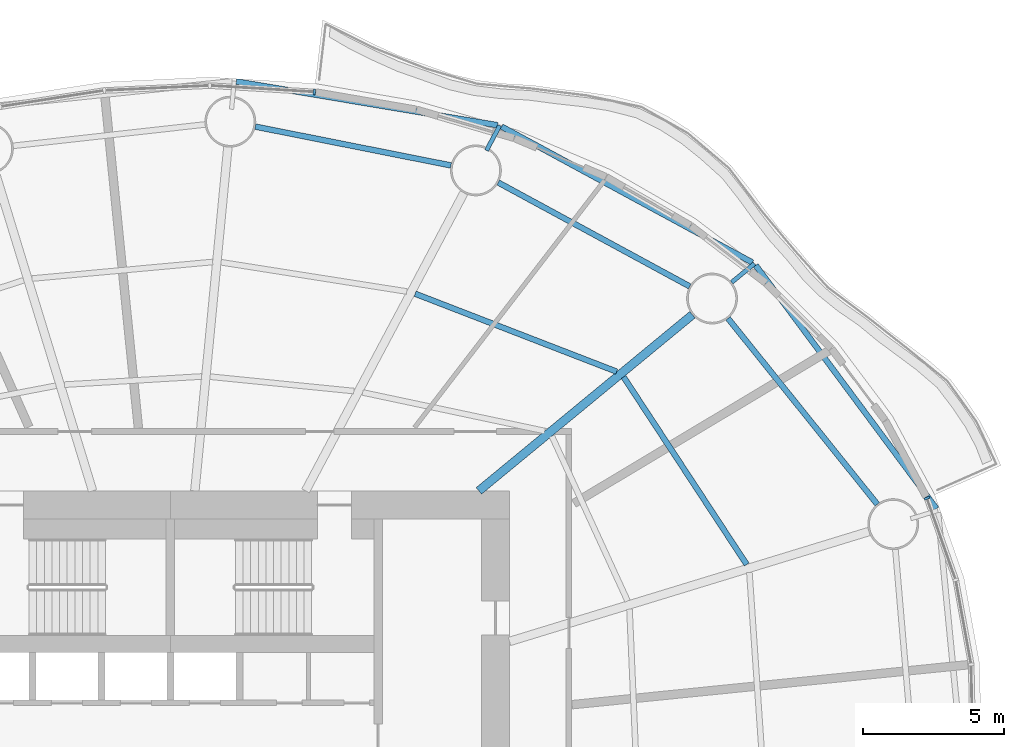
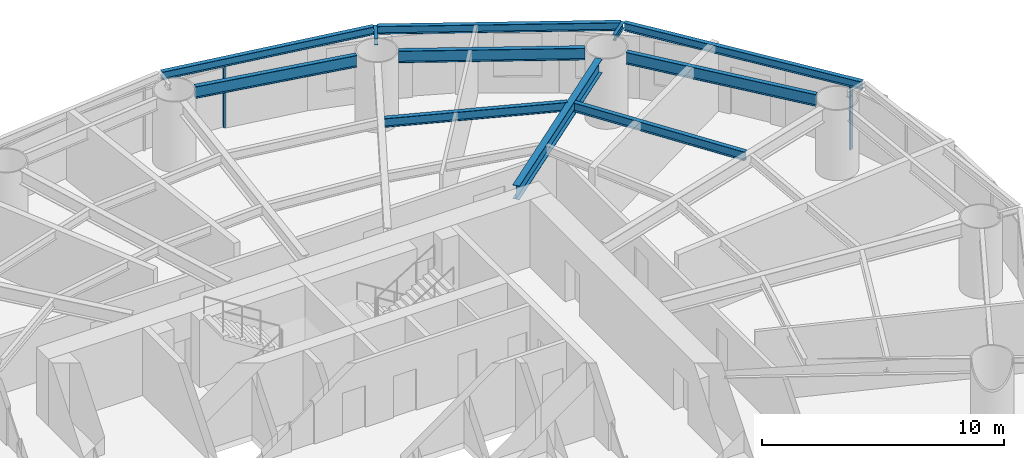
# One storey, part 6 of 16: 11 beams, 2 members, 2 elements without a shape of their own.
"""IFC4 building model written with IfcOpenShell, lengths in metres."""

from ifc_helpers import new_model, si_unit, direction, frame, origin, origin_2d, place, context, subcontext, project, spatial, rectangle, i_section, extrude, material, material_profile, profile_set, type_object, element, aggregate, save


model = new_model("IFC4")

# Units and contexts
model_context = context("Model", 3, precision=1e-05, world=origin(), true_north=direction((0.0, 1.0)))
body_context = subcontext(model_context, "Body", "Model", "MODEL_VIEW")
ifc_project = project(units=[si_unit("LENGTHUNIT", "METRE"), si_unit("AREAUNIT", "SQUARE_METRE"), si_unit("VOLUMEUNIT", "CUBIC_METRE"), si_unit("PLANEANGLEUNIT", "RADIAN"), si_unit("MASSUNIT", "GRAM", prefix="KILO")], contexts=[model_context])

# Site, building, storey
site_placement = place(None, origin())
site = spatial("IfcSite", under=ifc_project, at=site_placement, CompositionType="ELEMENT")
building_placement = place(site_placement, origin())
building = spatial("IfcBuilding", under=site, at=building_placement, Name="Vermilion Reach Broadcast Tower", CompositionType="ELEMENT")
storey_placement = place(building_placement, frame((0.0, 0.0, 58.199951171875)))
storey = spatial("IfcBuildingStorey", under=building, at=storey_placement, Name="L11", CompositionType="ELEMENT", Elevation=58.199951171875)

# Beams
ifc_material_1 = material(Name="Steel S355J2", Category="steel")
ifc_material_profile_1 = material_profile(ifc_material_1, i_section(OverallWidth=0.199951171875, OverallDepth=0.39990234375, WebThickness=0.008056640625, FlangeThickness=0.012939453125, at=origin_2d()), Name="S355J2 HN 400x200x8x13")
ifc_profile_set_1 = profile_set([ifc_material_profile_1], Name="Steel S355J2")
beam_type_1 = type_object("IfcBeamType", Name="EB1 HN 400x200x8x13", PredefinedType="BEAM", material=ifc_profile_set_1)
beam_1_placement = place(storey_placement, frame((21.105712890625, 8.37060546875, 3.35009765625), z_axis=(-0.596370099532, 0.802709601527, 0.0), x_axis=(-0.802709601527, -0.596370099532, 0.0)))
element("IfcBeam", 1, at=beam_1_placement, inside=storey, type_object=beam_type_1, Name="Edge beam EB1-01", PredefinedType="BEAM", context=body_context, shape_type="SweptSolid", body=[
    extrude(i_section(OverallWidth=0.199951171875, OverallDepth=0.39990234375, WebThickness=0.008056640625, FlangeThickness=0.012939453125, at=origin_2d()), origin(), (0.0, 0.0, 1.0), 10.7255859375),
])
beam_2_placement = place(storey_placement, frame((14.59326171875, 17.0791015625, 3.35009765625), z_axis=(-0.87918179165, 0.476486492182, 0.0), x_axis=(-0.476486492182, -0.87918179165, 0.0)))
element("IfcBeam", 2, at=beam_2_placement, inside=storey, type_object=beam_type_1, Name="Edge beam EB1-02", PredefinedType="BEAM", context=body_context, shape_type="SweptSolid", body=[
    extrude(i_section(OverallWidth=0.199951171875, OverallDepth=0.39990234375, WebThickness=0.008056640625, FlangeThickness=0.012939453125, at=origin_2d()), origin(), (0.0, 0.0, 1.0), 10.09423828125),
])
beam_3_placement = place(storey_placement, frame((5.57470703125, 21.937744140625, 3.35009765625), z_axis=(-0.986264056428, 0.165176302772, 0.0), x_axis=(-0.165176302772, -0.986264056428, 0.0)))
element("IfcBeam", 3, at=beam_3_placement, inside=storey, type_object=beam_type_1, Name="Edge beam EB1-03", PredefinedType="BEAM", context=body_context, shape_type="SweptSolid", body=[
    extrude(i_section(OverallWidth=0.199951171875, OverallDepth=0.39990234375, WebThickness=0.008056640625, FlangeThickness=0.012939453125, at=origin_2d()), origin(), (0.0, 0.0, 1.0), 9.370849609375),
])
ifc_material_2 = material(Name="Steel S355J2", Category="steel")
ifc_material_profile_2 = material_profile(ifc_material_2, i_section(OverallWidth=0.300048828125, OverallDepth=0.699951171875, WebThickness=0.012939453125, FlangeThickness=0.02392578125, at=origin_2d()), Name="S355J2 HN 700x300x13x24")
ifc_profile_set_2 = profile_set([ifc_material_profile_2], Name="Steel S355J2")
beam_type_2 = type_object("IfcBeamType", Name="G1 HN 700x300x13x24", PredefinedType="BEAM", material=ifc_profile_set_2)
beam_4_placement = place(storey_placement, frame((4.9140625, 9.0, 3.199951171875), z_axis=(0.771514256373, 0.636212034005, 0.0), x_axis=(-0.636212034005, 0.771514256373, 0.0)))
element("IfcBeam", 4, at=beam_4_placement, inside=storey, type_object=beam_type_2, Name="Girder G1-02", PredefinedType="BEAM", context=body_context, shape_type="SweptSolid", body=[
    extrude(i_section(OverallWidth=0.300048828125, OverallDepth=0.699951171875, WebThickness=0.012939453125, FlangeThickness=0.02392578125, at=origin_2d()), origin(), (0.0, 0.0, 1.0), 9.796142578125),
])
ifc_material_3 = material(Name="Steel S355J2", Category="steel")
ifc_material_profile_3 = material_profile(ifc_material_3, i_section(OverallWidth=0.14990234375, OverallDepth=0.300048828125, WebThickness=0.006591796875, FlangeThickness=0.009033203125, at=origin_2d()), Name="S355J2 HN 300x150x6.5x9")
ifc_profile_set_3 = profile_set([ifc_material_profile_3], Name="Steel S355J2")
beam_type_3 = type_object("IfcBeamType", Name="GS1 HN 300x150x6.5x9", PredefinedType="BEAM", material=ifc_profile_set_3)
beam_5_placement = place(storey_placement, frame((13.860595703125, 16.377685546875, 3.400146484375), z_axis=(0.771571647944, 0.636142430662, 0.0), x_axis=(-0.636142430662, 0.771571647944, 0.0)))
element("IfcBeam", 5, at=beam_5_placement, inside=storey, type_object=beam_type_3, Name="Cantilever stub GS1-02", PredefinedType="BEAM", context=body_context, shape_type="SweptSolid", body=[
    extrude(i_section(OverallWidth=0.14990234375, OverallDepth=0.300048828125, WebThickness=0.006591796875, FlangeThickness=0.009033203125, at=origin_2d()), origin(), (0.0, 0.0, 1.0), 1.0419921875),
])
beam_6_placement = place(storey_placement, frame((5.183349609375, 21.041748046875, 3.400146484375), z_axis=(0.469244476458, 0.883068299348, 0.0), x_axis=(-0.883068299348, 0.469244476458, 0.0)))
element("IfcBeam", 6, at=beam_6_placement, inside=storey, type_object=beam_type_3, Name="Cantilever stub GS1-03", PredefinedType="BEAM", context=body_context, shape_type="SweptSolid", body=[
    extrude(i_section(OverallWidth=0.14990234375, OverallDepth=0.300048828125, WebThickness=0.006591796875, FlangeThickness=0.009033203125, at=origin_2d()), origin(), (0.0, 0.0, 1.0), 1.0),
])
ifc_material_4 = material(Name="Steel S355J2", Category="steel")
ifc_material_profile_4 = material_profile(ifc_material_4, i_section(OverallWidth=0.199951171875, OverallDepth=0.60009765625, WebThickness=0.010986328125, FlangeThickness=0.01708984375, at=origin_2d()), Name="S355J2 HN 600x200x11x17")
ifc_profile_set_4 = profile_set([ifc_material_profile_4], Name="Steel S355J2")
beam_type_4 = type_object("IfcBeamType", Name="RB1 HN 600x200x11x17", PredefinedType="BEAM", material=ifc_profile_set_4)
beam_7_placement = place(storey_placement, frame((19.011962890625, 8.52587890625, 3.25), z_axis=(-0.626162157191, 0.779692858055, 0.0), x_axis=(-0.779692858055, -0.626162157191, 0.0)))
element("IfcBeam", 7, at=beam_7_placement, inside=storey, type_object=beam_type_4, Name="Ring beam RB1-01", PredefinedType="BEAM", context=body_context, shape_type="SweptSolid", body=[
    extrude(i_section(OverallWidth=0.199951171875, OverallDepth=0.60009765625, WebThickness=0.010986328125, FlangeThickness=0.01708984375, at=origin_2d()), origin(), (0.0, 0.0, 1.0), 8.435791015625),
])
beam_8_placement = place(storey_placement, frame((12.375244140625, 16.234130859375, 3.25), z_axis=(-0.878962319551, 0.476891225344, 0.0), x_axis=(-0.476891225344, -0.878962319551, 0.0)))
element("IfcBeam", 8, at=beam_8_placement, inside=storey, type_object=beam_type_4, Name="Ring beam RB1-02", PredefinedType="BEAM", context=body_context, shape_type="SweptSolid", body=[
    extrude(i_section(OverallWidth=0.199951171875, OverallDepth=0.60009765625, WebThickness=0.010986328125, FlangeThickness=0.01708984375, at=origin_2d()), origin(), (0.0, 0.0, 1.0), 7.707275390625),
])
beam_9_placement = place(storey_placement, frame((3.927001953125, 20.51416015625, 3.25), z_axis=(-0.980857717995, 0.194725799651, 0.0), x_axis=(-0.194725799651, -0.980857717995, 0.0)))
element("IfcBeam", 9, at=beam_9_placement, inside=storey, type_object=beam_type_4, Name="Ring beam RB1-03", PredefinedType="BEAM", context=body_context, shape_type="SweptSolid", body=[
    extrude(i_section(OverallWidth=0.199951171875, OverallDepth=0.60009765625, WebThickness=0.010986328125, FlangeThickness=0.01708984375, at=origin_2d()), origin(), (0.0, 0.0, 1.0), 7.05859375),
])
ifc_material_5 = material(Name="Steel S355J2", Category="steel")
ifc_material_profile_5 = material_profile(ifc_material_5, i_section(OverallWidth=0.199951171875, OverallDepth=0.449951171875, WebThickness=0.009033203125, FlangeThickness=0.013916015625, at=origin_2d()), Name="S355J2 HN 450x200x9x14")
ifc_profile_set_5 = profile_set([ifc_material_profile_5], Name="Steel S355J2")
beam_type_5 = type_object("IfcBeamType", Name="SB1 HN 450x200x9x14", PredefinedType="BEAM", material=ifc_profile_set_5)
beam_10_placement = place(storey_placement, frame((14.390625, 6.394775390625, 3.324951171875), z_axis=(-0.548800909102, 0.835953086105, 0.0), x_axis=(-0.835953086105, -0.548800909102, 0.0)))
element("IfcBeam", 10, at=beam_10_placement, inside=storey, type_object=beam_type_5, Name="Secondary beam SB1-01-2", PredefinedType="BEAM", context=body_context, shape_type="SweptSolid", body=[
    extrude(i_section(OverallWidth=0.199951171875, OverallDepth=0.449951171875, WebThickness=0.009033203125, FlangeThickness=0.013916015625, at=origin_2d()), origin(), (0.0, 0.0, 1.0), 7.935791015625),
])
beam_11_placement = place(storey_placement, frame((9.7919921875, 13.217041015625, 3.324951171875), z_axis=(-0.932680743753, 0.360702966765, 0.0), x_axis=(-0.360702966765, -0.932680743753, 0.0)))
element("IfcBeam", 11, at=beam_11_placement, inside=storey, type_object=beam_type_5, Name="Secondary beam SB1-02-2", PredefinedType="BEAM", context=body_context, shape_type="SweptSolid", body=[
    extrude(i_section(OverallWidth=0.199951171875, OverallDepth=0.449951171875, WebThickness=0.009033203125, FlangeThickness=0.013916015625, at=origin_2d()), origin(), (0.0, 0.0, 1.0), 7.646240234375),
])

# Curtain wall, member
ifc_material_6 = material(Name="Low-e laminated clear glass in aluminium frame", Category="aluminium")
curtain_wall_type = type_object("IfcCurtainWallType", Name="Slot curtain wall", PredefinedType="NOTDEFINED", material=ifc_material_6)
placement = place(storey_placement, origin())
curtain_wall_1 = element("IfcCurtainWall", 12, at=placement, inside=storey, type_object=curtain_wall_type, Name="Slot curtain wall L11 01", PredefinedType="NOTDEFINED")
ifc_material_7 = material(Name="Anodised aluminium", Category="aluminium")
ifc_material_profile_6 = material_profile(ifc_material_7, rectangle(XDim=0.199951171875, YDim=0.080078125, at=origin_2d()), Name="Slot mullion 80 x 200")
ifc_profile_set_6 = profile_set([ifc_material_profile_6], Name="Anodised aluminium")
member_type = type_object("IfcMemberType", Name="Slot mullion 80 x 200", PredefinedType="MULLION", material=ifc_profile_set_6)
member_1_placement = place(storey_placement, frame((20.771240234375, 8.741455078125, 0.0), z_axis=(0.0, 0.0, 1.0), x_axis=(-0.914724063744, -0.40407906059, 0.0)))
member_1 = element("IfcMember", 13, at=member_1_placement, type_object=member_type, Name="Slot mullion L11 02", PredefinedType="MULLION", context=body_context, shape_type="SweptSolid", body=[
    extrude(rectangle(XDim=0.199951171875, YDim=0.080078125, at=origin_2d()), origin(), (0.0, 0.0, 1.0), 3.150146484375),
])
aggregate(curtain_wall_1, [member_1])

curtain_wall_2 = element("IfcCurtainWall", 14, at=placement, inside=storey, type_object=curtain_wall_type, Name="Slot curtain wall L11 10", PredefinedType="NOTDEFINED")
member_2_placement = place(storey_placement, frame((-0.90966796875, 23.114013671875, 0.0), z_axis=(0.0, 0.0, 1.0), x_axis=(-0.115647924521, -0.993290268529, 0.0)))
member_2 = element("IfcMember", 15, at=member_2_placement, type_object=member_type, Name="Slot mullion L11 10", PredefinedType="MULLION", context=body_context, shape_type="SweptSolid", body=[
    extrude(rectangle(XDim=0.199951171875, YDim=0.080078125, at=origin_2d()), origin(), (0.0, 0.0, 1.0), 3.150146484375),
])
aggregate(curtain_wall_2, [member_2])

save(model, "model.ifc")
